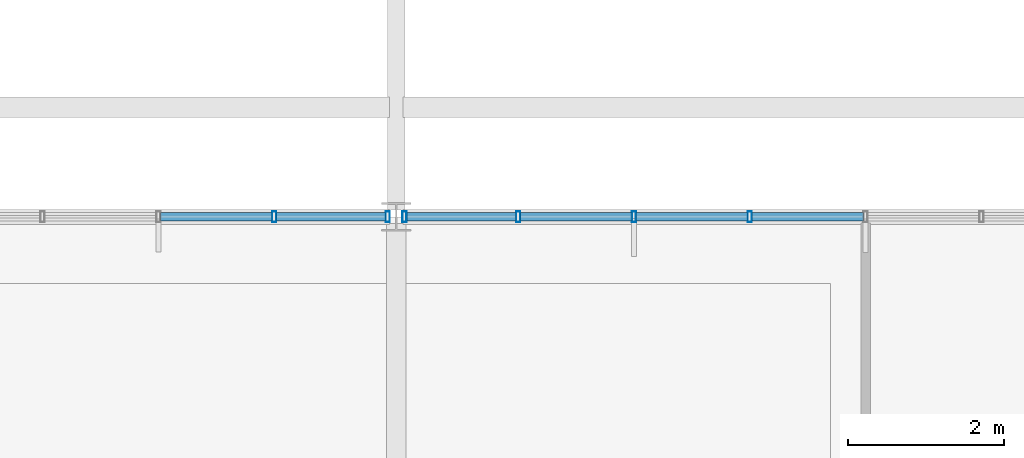
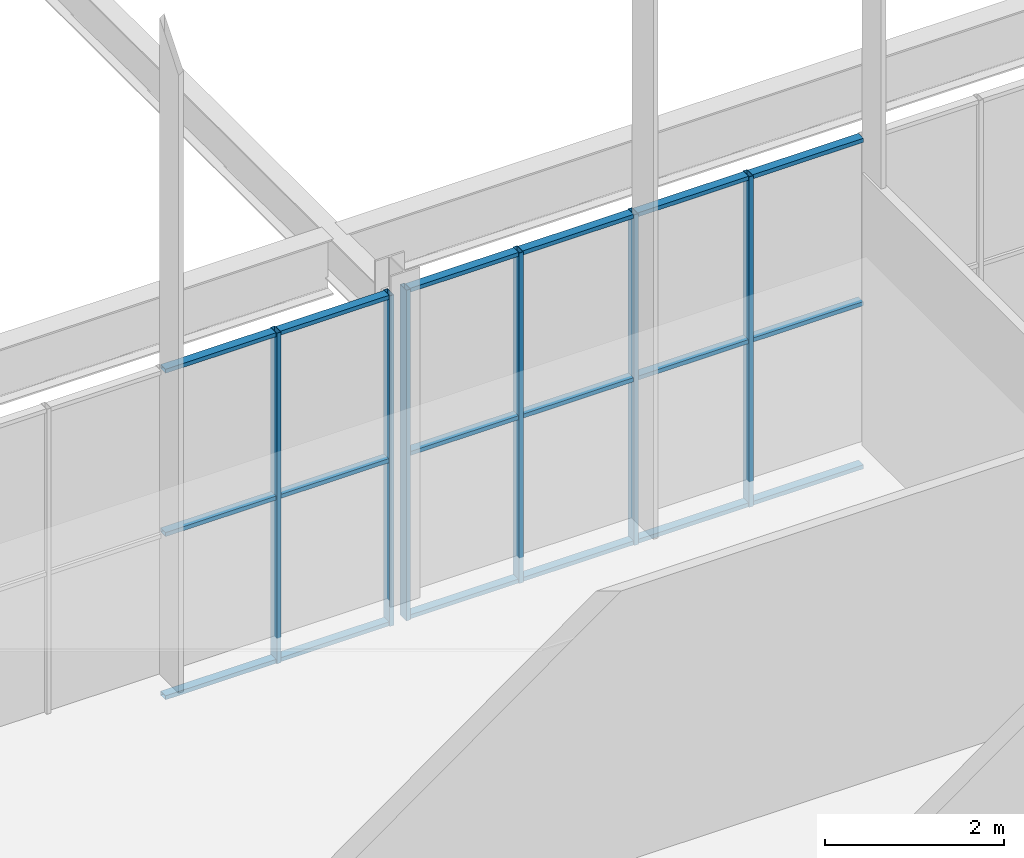
# One storey, part 193 of 324: 24 members, 2 elements without a shape of their own.
"""IFC4 building model written with IfcOpenShell, lengths in metres."""

from ifc_helpers import new_model, si_unit, direction, frame, origin, origin_2d, place, context, subcontext, project, spatial, hollow_rectangle, extrude, material, layer, layer_set, material_profile, profile_set, type_object, element, aggregate, save


model = new_model("IFC4")

# Units and contexts
model_context = context("Model", 3, precision=1e-05, world=origin(), true_north=direction((0.0, 1.0)))
body_context = subcontext(model_context, "Body", "Model", "MODEL_VIEW")
ifc_project = project(units=[si_unit("LENGTHUNIT", "METRE"), si_unit("AREAUNIT", "SQUARE_METRE"), si_unit("VOLUMEUNIT", "CUBIC_METRE"), si_unit("PLANEANGLEUNIT", "RADIAN"), si_unit("MASSUNIT", "GRAM", prefix="KILO")], contexts=[model_context])

# Site, building, storey
site_placement = place(None, origin())
site = spatial("IfcSite", under=ifc_project, at=site_placement, CompositionType="ELEMENT")
building_placement = place(site_placement, origin())
building = spatial("IfcBuilding", under=site, at=building_placement, Name="Solvenia Promenade Tram Depot", CompositionType="ELEMENT")
storey_placement = place(building_placement, frame((0.0, 0.0, 4.5)))
storey = spatial("IfcBuildingStorey", under=building, at=storey_placement, Name="L01", CompositionType="ELEMENT", Elevation=4.5)

# Curtain wall, members
ifc_material = material(Name="Anodized aluminium AW-6063 T6", Category="aluminium")
ifc_layer = layer(ifc_material, 0.080078125, Name="Anodized aluminium AW-6063 T6", Category="aluminium")
ifc_layer_set = layer_set([ifc_layer], Name="Anodized aluminium AW-6063 T6")
curtain_wall_type = type_object("IfcCurtainWallType", Name="CW-Clerest-1500", PredefinedType="NOTDEFINED", material=ifc_layer_set)
curtain_wall_1_placement = place(storey_placement, origin())
curtain_wall_1 = element("IfcCurtainWall", 1, at=curtain_wall_1_placement, inside=storey, type_object=curtain_wall_type, Name="Curtain Wall CW-V2S-L1-07", PredefinedType="NOTDEFINED")
ifc_material_profile_1 = material_profile(ifc_material, hollow_rectangle(XDim=0.139892578125, YDim=0.054931640625, WallThickness=0.00390625, at=origin_2d()), Name="ALU-M4", Category="aluminium")
ifc_profile_set_1 = profile_set([ifc_material_profile_1], Name="Anodized aluminium AW-6063 T6")
member_type_1 = type_object("IfcMemberType", Name="CWM-Mullion-4", PredefinedType="MULLION", material=ifc_profile_set_1)
member_1_placement = place(storey_placement, frame((160.43994140625, 24.0, -0.35009765625), z_axis=(0.0, 0.0, 1.0), x_axis=(0.0, 1.0, 0.0)))
member_1 = element("IfcMember", 2, at=member_1_placement, type_object=member_type_1, Name="CW-4 mullion 8", PredefinedType="MULLION", context=body_context, shape_type="SweptSolid", body=[
    extrude(hollow_rectangle(XDim=0.139892578125, YDim=0.054931640625, WallThickness=0.00390625, at=origin_2d()), origin(), (0.0, 0.0, 1.0), 4.5),
])
member_2_placement = place(storey_placement, frame((161.892578125, 24.0, -0.35009765625), z_axis=(0.0, 0.0, 1.0), x_axis=(0.0, 1.0, 0.0)))
member_2 = element("IfcMember", 3, at=member_2_placement, type_object=member_type_1, Name="CW-4 mullion 9", PredefinedType="MULLION", context=body_context, shape_type="SweptSolid", body=[
    extrude(hollow_rectangle(XDim=0.139892578125, YDim=0.054931640625, WallThickness=0.00390625, at=origin_2d()), origin(), (0.0, 0.0, 1.0), 4.5),
])

curtain_wall_2_placement = place(storey_placement, origin())
curtain_wall_2 = element("IfcCurtainWall", 4, at=curtain_wall_2_placement, inside=storey, type_object=curtain_wall_type, Name="Curtain Wall CW-V2S-L1-08", PredefinedType="NOTDEFINED")
member_3_placement = place(storey_placement, frame((162.107421875, 24.0, -0.35009765625), z_axis=(0.0, 0.0, 1.0), x_axis=(0.0, 1.0, 0.0)))
member_3 = element("IfcMember", 5, at=member_3_placement, type_object=member_type_1, Name="CW-4 mullion 1", PredefinedType="MULLION", context=body_context, shape_type="SweptSolid", body=[
    extrude(hollow_rectangle(XDim=0.139892578125, YDim=0.054931640625, WallThickness=0.00390625, at=origin_2d()), origin(), (0.0, 0.0, 1.0), 4.5),
])
member_4_placement = place(storey_placement, frame((163.56005859375, 24.0, -0.35009765625), z_axis=(0.0, 0.0, 1.0), x_axis=(0.0, 1.0, 0.0)))
member_4 = element("IfcMember", 6, at=member_4_placement, type_object=member_type_1, Name="CW-4 mullion 2", PredefinedType="MULLION", context=body_context, shape_type="SweptSolid", body=[
    extrude(hollow_rectangle(XDim=0.139892578125, YDim=0.054931640625, WallThickness=0.00390625, at=origin_2d()), origin(), (0.0, 0.0, 1.0), 4.5),
])
member_5_placement = place(storey_placement, frame((165.0400390625, 24.0, -0.35009765625), z_axis=(0.0, 0.0, 1.0), x_axis=(0.0, 1.0, 0.0)))
member_5 = element("IfcMember", 7, at=member_5_placement, type_object=member_type_1, Name="CW-4 mullion 3", PredefinedType="MULLION", context=body_context, shape_type="SweptSolid", body=[
    extrude(hollow_rectangle(XDim=0.139892578125, YDim=0.054931640625, WallThickness=0.00390625, at=origin_2d()), origin(), (0.0, 0.0, 1.0), 4.5),
])
member_6_placement = place(storey_placement, frame((166.52001953125, 24.0, -0.35009765625), z_axis=(0.0, 0.0, 1.0), x_axis=(0.0, 1.0, 0.0)))
member_6 = element("IfcMember", 8, at=member_6_placement, type_object=member_type_1, Name="CW-4 mullion 4", PredefinedType="MULLION", context=body_context, shape_type="SweptSolid", body=[
    extrude(hollow_rectangle(XDim=0.139892578125, YDim=0.054931640625, WallThickness=0.00390625, at=origin_2d()), origin(), (0.0, 0.0, 1.0), 4.5),
])

# Member
ifc_material_profile_2 = material_profile(ifc_material, hollow_rectangle(XDim=0.110107421875, YDim=0.054931640625, WallThickness=0.00390625, at=origin_2d()), Name="ALU-T4", Category="aluminium")
ifc_profile_set_2 = profile_set([ifc_material_profile_2], Name="Anodized aluminium AW-6063 T6")
member_type_2 = type_object("IfcMemberType", Name="CWT-Transom-4", PredefinedType="USERDEFINED", material=ifc_profile_set_2)
member_7_placement = place(storey_placement, frame((158.987548828125, 24.0, -0.322509765625), z_axis=(1.0, 0.0, 0.0), x_axis=(0.0, 1.0, 0.0)))
member_7 = element("IfcMember", 9, at=member_7_placement, type_object=member_type_2, Name="CW-4 transom 7.1", ObjectType="TRANSOM", PredefinedType="USERDEFINED", context=body_context, shape_type="SweptSolid", body=[
    extrude(hollow_rectangle(XDim=0.110107421875, YDim=0.054931640625, WallThickness=0.00390625, at=origin_2d()), origin(), (0.0, 0.0, 1.0), 1.425048828125),
])

member_8_placement = place(storey_placement, frame((158.987548828125, 24.0, 1.89990234375), z_axis=(1.0, 0.0, 0.0), x_axis=(0.0, 1.0, 0.0)))
member_8 = element("IfcMember", 10, at=member_8_placement, type_object=member_type_2, Name="CW-4 transom 7.2", ObjectType="TRANSOM", PredefinedType="USERDEFINED", context=body_context, shape_type="SweptSolid", body=[
    extrude(hollow_rectangle(XDim=0.110107421875, YDim=0.054931640625, WallThickness=0.00390625, at=origin_2d()), origin(), (0.0, 0.0, 1.0), 1.425048828125),
])

member_9_placement = place(storey_placement, frame((158.987548828125, 24.0, 4.12255859375), z_axis=(1.0, 0.0, 0.0), x_axis=(0.0, 1.0, 0.0)))
member_9 = element("IfcMember", 11, at=member_9_placement, type_object=member_type_2, Name="CW-4 transom 7.3", ObjectType="TRANSOM", PredefinedType="USERDEFINED", context=body_context, shape_type="SweptSolid", body=[
    extrude(hollow_rectangle(XDim=0.110107421875, YDim=0.054931640625, WallThickness=0.00390625, at=origin_2d()), origin(), (0.0, 0.0, 1.0), 1.425048828125),
])

member_10_placement = place(storey_placement, frame((160.467529296875, 24.0, -0.322509765625), z_axis=(1.0, 0.0, 0.0), x_axis=(0.0, 1.0, 0.0)))
member_10 = element("IfcMember", 12, at=member_10_placement, type_object=member_type_2, Name="CW-4 transom 8.1", ObjectType="TRANSOM", PredefinedType="USERDEFINED", context=body_context, shape_type="SweptSolid", body=[
    extrude(hollow_rectangle(XDim=0.110107421875, YDim=0.054931640625, WallThickness=0.00390625, at=origin_2d()), origin(), (0.0, 0.0, 1.0), 1.3974609375),
])

member_11_placement = place(storey_placement, frame((160.467529296875, 24.0, 1.89990234375), z_axis=(1.0, 0.0, 0.0), x_axis=(0.0, 1.0, 0.0)))
member_11 = element("IfcMember", 13, at=member_11_placement, type_object=member_type_2, Name="CW-4 transom 8.2", ObjectType="TRANSOM", PredefinedType="USERDEFINED", context=body_context, shape_type="SweptSolid", body=[
    extrude(hollow_rectangle(XDim=0.110107421875, YDim=0.054931640625, WallThickness=0.00390625, at=origin_2d()), origin(), (0.0, 0.0, 1.0), 1.3974609375),
])

member_12_placement = place(storey_placement, frame((160.467529296875, 24.0, 4.12255859375), z_axis=(1.0, 0.0, 0.0), x_axis=(0.0, 1.0, 0.0)))
member_12 = element("IfcMember", 14, at=member_12_placement, type_object=member_type_2, Name="CW-4 transom 8.3", ObjectType="TRANSOM", PredefinedType="USERDEFINED", context=body_context, shape_type="SweptSolid", body=[
    extrude(hollow_rectangle(XDim=0.110107421875, YDim=0.054931640625, WallThickness=0.00390625, at=origin_2d()), origin(), (0.0, 0.0, 1.0), 1.3974609375),
])

aggregate(curtain_wall_1, [member_1, member_2, member_7, member_8, member_9, member_10, member_11, member_12])

member_13_placement = place(storey_placement, frame((162.135009765625, 24.0, -0.322509765625), z_axis=(1.0, 0.0, 0.0), x_axis=(0.0, 1.0, 0.0)))
member_13 = element("IfcMember", 15, at=member_13_placement, type_object=member_type_2, Name="CW-4 transom 1.1", ObjectType="TRANSOM", PredefinedType="USERDEFINED", context=body_context, shape_type="SweptSolid", body=[
    extrude(hollow_rectangle(XDim=0.110107421875, YDim=0.054931640625, WallThickness=0.00390625, at=origin_2d()), origin(), (0.0, 0.0, 1.0), 1.3974609375),
])

member_14_placement = place(storey_placement, frame((162.135009765625, 24.0, 1.89990234375), z_axis=(1.0, 0.0, 0.0), x_axis=(0.0, 1.0, 0.0)))
member_14 = element("IfcMember", 16, at=member_14_placement, type_object=member_type_2, Name="CW-4 transom 1.2", ObjectType="TRANSOM", PredefinedType="USERDEFINED", context=body_context, shape_type="SweptSolid", body=[
    extrude(hollow_rectangle(XDim=0.110107421875, YDim=0.054931640625, WallThickness=0.00390625, at=origin_2d()), origin(), (0.0, 0.0, 1.0), 1.3974609375),
])

member_15_placement = place(storey_placement, frame((162.135009765625, 24.0, 4.12255859375), z_axis=(1.0, 0.0, 0.0), x_axis=(0.0, 1.0, 0.0)))
member_15 = element("IfcMember", 17, at=member_15_placement, type_object=member_type_2, Name="CW-4 transom 1.3", ObjectType="TRANSOM", PredefinedType="USERDEFINED", context=body_context, shape_type="SweptSolid", body=[
    extrude(hollow_rectangle(XDim=0.110107421875, YDim=0.054931640625, WallThickness=0.00390625, at=origin_2d()), origin(), (0.0, 0.0, 1.0), 1.3974609375),
])

member_16_placement = place(storey_placement, frame((163.58740234375, 24.0, -0.322509765625), z_axis=(1.0, 0.0, 0.0), x_axis=(0.0, 1.0, 0.0)))
member_16 = element("IfcMember", 18, at=member_16_placement, type_object=member_type_2, Name="CW-4 transom 2.1", ObjectType="TRANSOM", PredefinedType="USERDEFINED", context=body_context, shape_type="SweptSolid", body=[
    extrude(hollow_rectangle(XDim=0.110107421875, YDim=0.054931640625, WallThickness=0.00390625, at=origin_2d()), origin(), (0.0, 0.0, 1.0), 1.425048828125),
])

member_17_placement = place(storey_placement, frame((163.58740234375, 24.0, 1.89990234375), z_axis=(1.0, 0.0, 0.0), x_axis=(0.0, 1.0, 0.0)))
member_17 = element("IfcMember", 19, at=member_17_placement, type_object=member_type_2, Name="CW-4 transom 2.2", ObjectType="TRANSOM", PredefinedType="USERDEFINED", context=body_context, shape_type="SweptSolid", body=[
    extrude(hollow_rectangle(XDim=0.110107421875, YDim=0.054931640625, WallThickness=0.00390625, at=origin_2d()), origin(), (0.0, 0.0, 1.0), 1.425048828125),
])

member_18_placement = place(storey_placement, frame((163.58740234375, 24.0, 4.12255859375), z_axis=(1.0, 0.0, 0.0), x_axis=(0.0, 1.0, 0.0)))
member_18 = element("IfcMember", 20, at=member_18_placement, type_object=member_type_2, Name="CW-4 transom 2.3", ObjectType="TRANSOM", PredefinedType="USERDEFINED", context=body_context, shape_type="SweptSolid", body=[
    extrude(hollow_rectangle(XDim=0.110107421875, YDim=0.054931640625, WallThickness=0.00390625, at=origin_2d()), origin(), (0.0, 0.0, 1.0), 1.425048828125),
])

member_19_placement = place(storey_placement, frame((165.0673828125, 24.0, -0.322509765625), z_axis=(1.0, 0.0, 0.0), x_axis=(0.0, 1.0, 0.0)))
member_19 = element("IfcMember", 21, at=member_19_placement, type_object=member_type_2, Name="CW-4 transom 3.1", ObjectType="TRANSOM", PredefinedType="USERDEFINED", context=body_context, shape_type="SweptSolid", body=[
    extrude(hollow_rectangle(XDim=0.110107421875, YDim=0.054931640625, WallThickness=0.00390625, at=origin_2d()), origin(), (0.0, 0.0, 1.0), 1.425048828125),
])

member_20_placement = place(storey_placement, frame((165.0673828125, 24.0, 1.89990234375), z_axis=(1.0, 0.0, 0.0), x_axis=(0.0, 1.0, 0.0)))
member_20 = element("IfcMember", 22, at=member_20_placement, type_object=member_type_2, Name="CW-4 transom 3.2", ObjectType="TRANSOM", PredefinedType="USERDEFINED", context=body_context, shape_type="SweptSolid", body=[
    extrude(hollow_rectangle(XDim=0.110107421875, YDim=0.054931640625, WallThickness=0.00390625, at=origin_2d()), origin(), (0.0, 0.0, 1.0), 1.425048828125),
])

member_21_placement = place(storey_placement, frame((165.0673828125, 24.0, 4.12255859375), z_axis=(1.0, 0.0, 0.0), x_axis=(0.0, 1.0, 0.0)))
member_21 = element("IfcMember", 23, at=member_21_placement, type_object=member_type_2, Name="CW-4 transom 3.3", ObjectType="TRANSOM", PredefinedType="USERDEFINED", context=body_context, shape_type="SweptSolid", body=[
    extrude(hollow_rectangle(XDim=0.110107421875, YDim=0.054931640625, WallThickness=0.00390625, at=origin_2d()), origin(), (0.0, 0.0, 1.0), 1.425048828125),
])

member_22_placement = place(storey_placement, frame((166.547607421875, 24.0, -0.322509765625), z_axis=(1.0, 0.0, 0.0), x_axis=(0.0, 1.0, 0.0)))
member_22 = element("IfcMember", 24, at=member_22_placement, type_object=member_type_2, Name="CW-4 transom 4.1", ObjectType="TRANSOM", PredefinedType="USERDEFINED", context=body_context, shape_type="SweptSolid", body=[
    extrude(hollow_rectangle(XDim=0.110107421875, YDim=0.054931640625, WallThickness=0.00390625, at=origin_2d()), origin(), (0.0, 0.0, 1.0), 1.4248046875),
])

member_23_placement = place(storey_placement, frame((166.547607421875, 24.0, 1.89990234375), z_axis=(1.0, 0.0, 0.0), x_axis=(0.0, 1.0, 0.0)))
member_23 = element("IfcMember", 25, at=member_23_placement, type_object=member_type_2, Name="CW-4 transom 4.2", ObjectType="TRANSOM", PredefinedType="USERDEFINED", context=body_context, shape_type="SweptSolid", body=[
    extrude(hollow_rectangle(XDim=0.110107421875, YDim=0.054931640625, WallThickness=0.00390625, at=origin_2d()), origin(), (0.0, 0.0, 1.0), 1.4248046875),
])

member_24_placement = place(storey_placement, frame((166.547607421875, 24.0, 4.12255859375), z_axis=(1.0, 0.0, 0.0), x_axis=(0.0, 1.0, 0.0)))
member_24 = element("IfcMember", 26, at=member_24_placement, type_object=member_type_2, Name="CW-4 transom 4.3", ObjectType="TRANSOM", PredefinedType="USERDEFINED", context=body_context, shape_type="SweptSolid", body=[
    extrude(hollow_rectangle(XDim=0.110107421875, YDim=0.054931640625, WallThickness=0.00390625, at=origin_2d()), origin(), (0.0, 0.0, 1.0), 1.4248046875),
])

aggregate(curtain_wall_2, [member_3, member_4, member_5, member_6, member_13, member_14, member_15, member_16, member_17, member_18, member_19, member_20, member_21, member_22, member_23, member_24])

save(model, "model.ifc")
